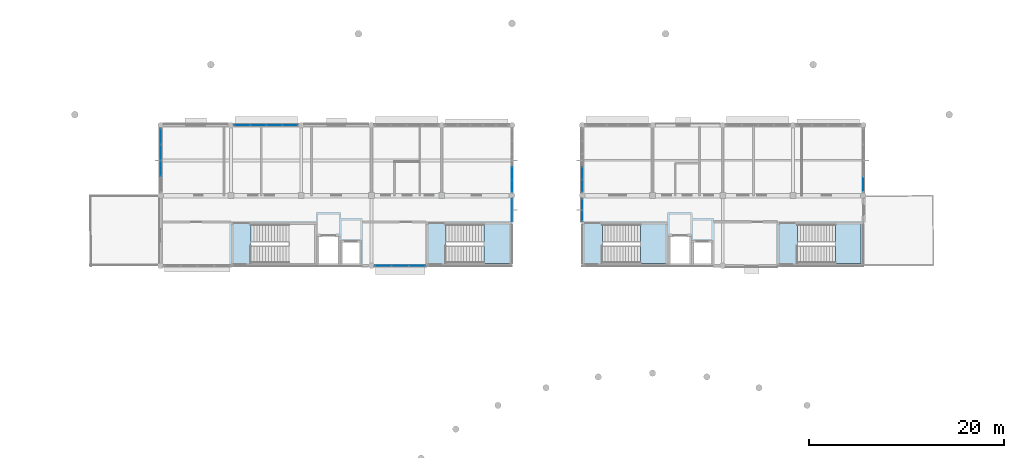
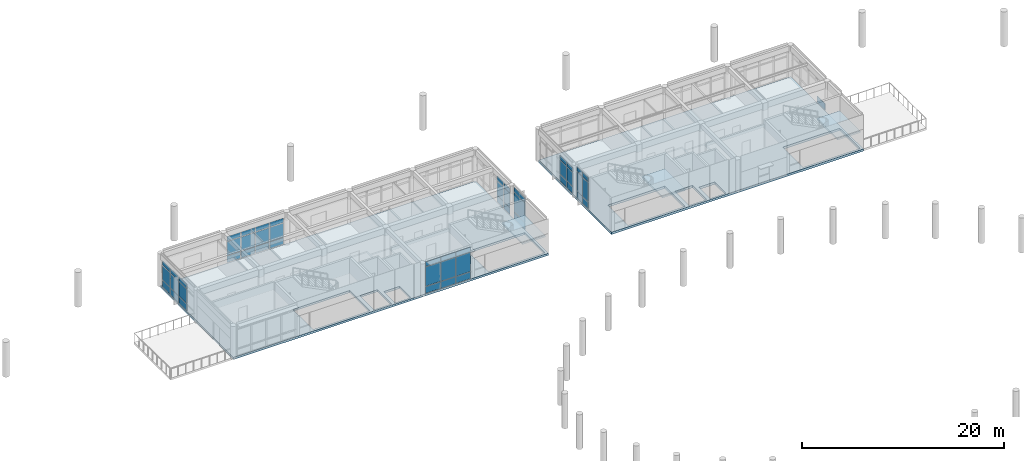
# One storey, part 15 of 41: 52 plates, 5 slabs, 11 elements without a shape of their own.
"""IFC4 building model written with IfcOpenShell, lengths in metres."""

from ifc_helpers import new_model, si_unit, direction, frame, origin, origin_2d, place, context, subcontext, project, spatial, polyline, rectangle, outline, extrude, material, layer, layer_set, type_object, element, aggregate, save


model = new_model("IFC4")

# Units and contexts
model_context = context("Model", 3, precision=1e-05, world=origin(), true_north=direction((0.0, 1.0)))
body_context = subcontext(model_context, "Body", "Model", "MODEL_VIEW")
ifc_project = project(units=[si_unit("LENGTHUNIT", "METRE"), si_unit("AREAUNIT", "SQUARE_METRE"), si_unit("VOLUMEUNIT", "CUBIC_METRE"), si_unit("PLANEANGLEUNIT", "RADIAN"), si_unit("MASSUNIT", "GRAM", prefix="KILO")], contexts=[model_context])

# Site, building, storey
site_placement = place(None, origin())
site = spatial("IfcSite", under=ifc_project, at=site_placement, CompositionType="ELEMENT")
building_placement = place(site_placement, origin())
building = spatial("IfcBuilding", under=site, at=building_placement, Name="Namkhue Oval Health Centre", CompositionType="ELEMENT")
storey_placement = place(building_placement, frame((0.0, 0.0, 13.800048828125)))
storey = spatial("IfcBuildingStorey", under=building, at=storey_placement, Name="L03", CompositionType="ELEMENT", Elevation=13.800048828125)

# Curtain wall, plates
ifc_material_1 = material(Name="Anodised aluminium EN AW-6063 T6", Category="aluminium")
ifc_layer_1 = layer(ifc_material_1, 0.159912109375)
ifc_layer_set_1 = layer_set([ifc_layer_1], Name="Anodised aluminium EN AW-6063 T6")
curtain_wall_type_1 = type_object("IfcCurtainWallType", Name="UNITISED CURTAIN WALL M1200", PredefinedType="NOTDEFINED", material=ifc_layer_set_1)
curtain_wall_1_placement = place(storey_placement, origin())
curtain_wall_1 = element("IfcCurtainWall", 1, at=curtain_wall_1_placement, inside=storey, type_object=curtain_wall_type_1, Name="Volume V2 L03 Unitised Curtain Wall 73", PredefinedType="NOTDEFINED")
ifc_material_2 = material(Name="Thermally broken low-E laminated double glazing", Category="glass")
ifc_layer_2 = layer(ifc_material_2, 0.02587890625)
ifc_layer_set_2 = layer_set([ifc_layer_2], Name="Thermally broken low-E laminated double glazing")
plate_type_1 = type_object("IfcPlateType", Name="CURTAIN WALL GLAZED PANEL 26", PredefinedType="CURTAIN_PANEL", material=ifc_layer_set_2)
plate_1_placement = place(storey_placement, frame((86.39990234375, 98.184326171875, 0.06494140625), z_axis=(0.0, 0.0, 1.0), x_axis=(0.0, 1.0, 0.0)))
plate_1 = element("IfcPlate", 2, at=plate_1_placement, type_object=plate_type_1, Name="CW-01 panel 1.1", PredefinedType="CURTAIN_PANEL", context=body_context, shape_type="SweptSolid", body=[
    extrude(rectangle(XDim=1.218505859375, YDim=0.02587890625, at=origin_2d()), origin(), (0.0, 0.0, 1.0), 0.802490234375),
])
plate_2_placement = place(storey_placement, frame((86.39990234375, 98.184326171875, 0.9326171875), z_axis=(0.0, 0.0, 1.0), x_axis=(0.0, 1.0, 0.0)))
plate_2 = element("IfcPlate", 3, at=plate_2_placement, type_object=plate_type_1, Name="CW-01 panel 1.2", PredefinedType="CURTAIN_PANEL", context=body_context, shape_type="SweptSolid", body=[
    extrude(rectangle(XDim=1.218505859375, YDim=0.02587890625, at=origin_2d()), origin(), (0.0, 0.0, 1.0), 1.679931640625),
])
plate_3_placement = place(storey_placement, frame((86.39990234375, 98.184326171875, 2.67724609375), z_axis=(0.0, 0.0, 1.0), x_axis=(0.0, 1.0, 0.0)))
plate_3 = element("IfcPlate", 4, at=plate_3_placement, type_object=plate_type_1, Name="CW-01 panel 1.3", PredefinedType="CURTAIN_PANEL", context=body_context, shape_type="SweptSolid", body=[
    extrude(rectangle(XDim=1.218505859375, YDim=0.02587890625, at=origin_2d()), origin(), (0.0, 0.0, 1.0), 0.552490234375),
])
plate_4_placement = place(storey_placement, frame((86.39990234375, 99.48388671875, 0.06494140625), z_axis=(0.0, 0.0, 1.0), x_axis=(0.0, 1.0, 0.0)))
plate_4 = element("IfcPlate", 5, at=plate_4_placement, type_object=plate_type_1, Name="CW-01 panel 2.1", PredefinedType="CURTAIN_PANEL", context=body_context, shape_type="SweptSolid", body=[
    extrude(rectangle(XDim=1.2509765625, YDim=0.02587890625, at=origin_2d()), origin(), (0.0, 0.0, 1.0), 0.802490234375),
])
plate_5_placement = place(storey_placement, frame((86.39990234375, 99.48388671875, 0.9326171875), z_axis=(0.0, 0.0, 1.0), x_axis=(0.0, 1.0, 0.0)))
plate_5 = element("IfcPlate", 6, at=plate_5_placement, type_object=plate_type_1, Name="CW-01 panel 2.2", PredefinedType="CURTAIN_PANEL", context=body_context, shape_type="SweptSolid", body=[
    extrude(rectangle(XDim=1.2509765625, YDim=0.02587890625, at=origin_2d()), origin(), (0.0, 0.0, 1.0), 1.679931640625),
])
plate_6_placement = place(storey_placement, frame((86.39990234375, 99.48388671875, 2.67724609375), z_axis=(0.0, 0.0, 1.0), x_axis=(0.0, 1.0, 0.0)))
plate_6 = element("IfcPlate", 7, at=plate_6_placement, type_object=plate_type_1, Name="CW-01 panel 2.3", PredefinedType="CURTAIN_PANEL", context=body_context, shape_type="SweptSolid", body=[
    extrude(rectangle(XDim=1.2509765625, YDim=0.02587890625, at=origin_2d()), origin(), (0.0, 0.0, 1.0), 0.552490234375),
])
aggregate(curtain_wall_1, [plate_1, plate_2, plate_3, plate_4, plate_5, plate_6])

ifc_layer_3 = layer(ifc_material_1, 0.159912109375)
ifc_layer_set_3 = layer_set([ifc_layer_3], Name="Anodised aluminium EN AW-6063 T6")
curtain_wall_type_2 = type_object("IfcCurtainWallType", Name="UNITISED CURTAIN WALL M1800", PredefinedType="NOTDEFINED", material=ifc_layer_set_3)
curtain_wall_2_placement = place(storey_placement, origin())
curtain_wall_2 = element("IfcCurtainWall", 8, at=curtain_wall_2_placement, inside=storey, type_object=curtain_wall_type_2, Name="Volume V2 L03 Unitised Curtain Wall 77", PredefinedType="NOTDEFINED")
plate_7_placement = place(storey_placement, frame((50.39990234375, 103.251220703125, 0.06494140625), z_axis=(0.0, 0.0, 1.0), x_axis=(0.0, -1.0, 0.0)))
plate_7 = element("IfcPlate", 9, at=plate_7_placement, type_object=plate_type_1, Name="CW-05 panel 1.1", PredefinedType="CURTAIN_PANEL", context=body_context, shape_type="SweptSolid", body=[
    extrude(rectangle(XDim=1.547607421875, YDim=0.02587890625, at=origin_2d()), origin(), (0.0, 0.0, 1.0), 0.802490234375),
])
plate_8_placement = place(storey_placement, frame((50.39990234375, 103.251220703125, 0.932373046875), z_axis=(0.0, 0.0, 1.0), x_axis=(0.0, -1.0, 0.0)))
plate_8 = element("IfcPlate", 10, at=plate_8_placement, type_object=plate_type_1, Name="CW-05 panel 1.2", PredefinedType="CURTAIN_PANEL", context=body_context, shape_type="SweptSolid", body=[
    extrude(rectangle(XDim=1.547607421875, YDim=0.02587890625, at=origin_2d()), origin(), (0.0, 0.0, 1.0), 1.70703125),
])
plate_9_placement = place(storey_placement, frame((50.39990234375, 103.251220703125, 2.70458984375), z_axis=(0.0, 0.0, 1.0), x_axis=(0.0, -1.0, 0.0)))
plate_9 = element("IfcPlate", 11, at=plate_9_placement, type_object=plate_type_1, Name="CW-05 panel 1.3", PredefinedType="CURTAIN_PANEL", context=body_context, shape_type="SweptSolid", body=[
    extrude(rectangle(XDim=1.547607421875, YDim=0.02587890625, at=origin_2d()), origin(), (0.0, 0.0, 1.0), 0.552490234375),
])
plate_10_placement = place(storey_placement, frame((50.39990234375, 101.62255859375, 0.06494140625), z_axis=(0.0, 0.0, 1.0), x_axis=(0.0, -1.0, 0.0)))
plate_10 = element("IfcPlate", 12, at=plate_10_placement, type_object=plate_type_1, Name="CW-05 panel 2.1", PredefinedType="CURTAIN_PANEL", context=body_context, shape_type="SweptSolid", body=[
    extrude(rectangle(XDim=1.580078125, YDim=0.02587890625, at=origin_2d()), origin(), (0.0, 0.0, 1.0), 0.802490234375),
])
plate_11_placement = place(storey_placement, frame((50.39990234375, 101.62255859375, 0.932373046875), z_axis=(0.0, 0.0, 1.0), x_axis=(0.0, -1.0, 0.0)))
plate_11 = element("IfcPlate", 13, at=plate_11_placement, type_object=plate_type_1, Name="CW-05 panel 2.2", PredefinedType="CURTAIN_PANEL", context=body_context, shape_type="SweptSolid", body=[
    extrude(rectangle(XDim=1.580078125, YDim=0.02587890625, at=origin_2d()), origin(), (0.0, 0.0, 1.0), 1.70703125),
])
plate_12_placement = place(storey_placement, frame((50.39990234375, 101.62255859375, 2.70458984375), z_axis=(0.0, 0.0, 1.0), x_axis=(0.0, -1.0, 0.0)))
plate_12 = element("IfcPlate", 14, at=plate_12_placement, type_object=plate_type_1, Name="CW-05 panel 2.3", PredefinedType="CURTAIN_PANEL", context=body_context, shape_type="SweptSolid", body=[
    extrude(rectangle(XDim=1.580078125, YDim=0.02587890625, at=origin_2d()), origin(), (0.0, 0.0, 1.0), 0.552490234375),
])
plate_13_placement = place(storey_placement, frame((50.39990234375, 99.9775390625, 0.06494140625), z_axis=(0.0, 0.0, 1.0), x_axis=(0.0, -1.0, 0.0)))
plate_13 = element("IfcPlate", 15, at=plate_13_placement, type_object=plate_type_1, Name="CW-05 panel 3.1", PredefinedType="CURTAIN_PANEL", context=body_context, shape_type="SweptSolid", body=[
    extrude(rectangle(XDim=1.580078125, YDim=0.02587890625, at=origin_2d()), origin(), (0.0, 0.0, 1.0), 0.802490234375),
])
plate_14_placement = place(storey_placement, frame((50.39990234375, 99.9775390625, 0.932373046875), z_axis=(0.0, 0.0, 1.0), x_axis=(0.0, -1.0, 0.0)))
plate_14 = element("IfcPlate", 16, at=plate_14_placement, type_object=plate_type_1, Name="CW-05 panel 3.2", PredefinedType="CURTAIN_PANEL", context=body_context, shape_type="SweptSolid", body=[
    extrude(rectangle(XDim=1.580078125, YDim=0.02587890625, at=origin_2d()), origin(), (0.0, 0.0, 1.0), 1.70703125),
])
plate_15_placement = place(storey_placement, frame((50.39990234375, 99.9775390625, 2.70458984375), z_axis=(0.0, 0.0, 1.0), x_axis=(0.0, -1.0, 0.0)))
plate_15 = element("IfcPlate", 17, at=plate_15_placement, type_object=plate_type_1, Name="CW-05 panel 3.3", PredefinedType="CURTAIN_PANEL", context=body_context, shape_type="SweptSolid", body=[
    extrude(rectangle(XDim=1.580078125, YDim=0.02587890625, at=origin_2d()), origin(), (0.0, 0.0, 1.0), 0.552490234375),
])
aggregate(curtain_wall_2, [plate_7, plate_8, plate_9, plate_10, plate_11, plate_12, plate_13, plate_14, plate_15])

# Curtain wall, plate
ifc_layer_4 = layer(ifc_material_1, 0.159912109375)
ifc_layer_set_4 = layer_set([ifc_layer_4], Name="Anodised aluminium EN AW-6063 T6")
curtain_wall_type_3 = type_object("IfcCurtainWallType", Name="UNITISED CURTAIN WALL M1500", PredefinedType="NOTDEFINED", material=ifc_layer_set_4)
curtain_wall_3_placement = place(storey_placement, origin())
curtain_wall_3 = element("IfcCurtainWall", 18, at=curtain_wall_3_placement, inside=storey, type_object=curtain_wall_type_3, Name="Volume V3 L03 Unitised Curtain Wall 117", PredefinedType="NOTDEFINED")
plate_16_placement = place(storey_placement, frame((122.39990234375, 98.3486328125, 0.06494140625), z_axis=(0.0, 0.0, 1.0), x_axis=(0.0, 1.0, 0.0)))
plate_16 = element("IfcPlate", 19, at=plate_16_placement, type_object=plate_type_1, Name="CW-03 panel 1.1", PredefinedType="CURTAIN_PANEL", context=body_context, shape_type="SweptSolid", body=[
    extrude(rectangle(XDim=1.547607421875, YDim=0.02587890625, at=origin_2d()), origin(), (0.0, 0.0, 1.0), 0.802490234375),
])
aggregate(curtain_wall_3, [plate_16])

# Curtain wall, plates
curtain_wall_4_placement = place(storey_placement, origin())
curtain_wall_4 = element("IfcCurtainWall", 20, at=curtain_wall_4_placement, inside=storey, type_object=curtain_wall_type_1, Name="Volume V3 L03 Unitised Curtain Wall 121", PredefinedType="NOTDEFINED")
plate_17_placement = place(storey_placement, frame((93.60009765625, 99.48388671875, 0.06494140625), z_axis=(0.0, 0.0, 1.0), x_axis=(0.0, -1.0, 0.0)))
plate_17 = element("IfcPlate", 21, at=plate_17_placement, type_object=plate_type_1, Name="CW-01 panel 4.1", PredefinedType="CURTAIN_PANEL", context=body_context, shape_type="SweptSolid", body=[
    extrude(rectangle(XDim=1.2509765625, YDim=0.02587890625, at=origin_2d()), origin(), (0.0, 0.0, 1.0), 0.802490234375),
])
plate_18_placement = place(storey_placement, frame((93.60009765625, 99.48388671875, 0.9326171875), z_axis=(0.0, 0.0, 1.0), x_axis=(0.0, -1.0, 0.0)))
plate_18 = element("IfcPlate", 22, at=plate_18_placement, type_object=plate_type_1, Name="CW-01 panel 4.2", PredefinedType="CURTAIN_PANEL", context=body_context, shape_type="SweptSolid", body=[
    extrude(rectangle(XDim=1.2509765625, YDim=0.02587890625, at=origin_2d()), origin(), (0.0, 0.0, 1.0), 1.655029296875),
])
plate_19_placement = place(storey_placement, frame((93.60009765625, 99.48388671875, 2.65234375), z_axis=(0.0, 0.0, 1.0), x_axis=(0.0, -1.0, 0.0)))
plate_19 = element("IfcPlate", 23, at=plate_19_placement, type_object=plate_type_1, Name="CW-01 panel 4.3", PredefinedType="CURTAIN_PANEL", context=body_context, shape_type="SweptSolid", body=[
    extrude(rectangle(XDim=1.2509765625, YDim=0.02587890625, at=origin_2d()), origin(), (0.0, 0.0, 1.0), 0.552490234375),
])
plate_20_placement = place(storey_placement, frame((93.60009765625, 98.184326171875, 0.06494140625), z_axis=(0.0, 0.0, 1.0), x_axis=(0.0, -1.0, 0.0)))
plate_20 = element("IfcPlate", 24, at=plate_20_placement, type_object=plate_type_1, Name="CW-01 panel 5.1", PredefinedType="CURTAIN_PANEL", context=body_context, shape_type="SweptSolid", body=[
    extrude(rectangle(XDim=1.218505859375, YDim=0.02587890625, at=origin_2d()), origin(), (0.0, 0.0, 1.0), 0.802490234375),
])
plate_21_placement = place(storey_placement, frame((93.60009765625, 98.184326171875, 0.9326171875), z_axis=(0.0, 0.0, 1.0), x_axis=(0.0, -1.0, 0.0)))
plate_21 = element("IfcPlate", 25, at=plate_21_placement, type_object=plate_type_1, Name="CW-01 panel 5.2", PredefinedType="CURTAIN_PANEL", context=body_context, shape_type="SweptSolid", body=[
    extrude(rectangle(XDim=1.218505859375, YDim=0.02587890625, at=origin_2d()), origin(), (0.0, 0.0, 1.0), 1.655029296875),
])
plate_22_placement = place(storey_placement, frame((93.60009765625, 98.184326171875, 2.65234375), z_axis=(0.0, 0.0, 1.0), x_axis=(0.0, -1.0, 0.0)))
plate_22 = element("IfcPlate", 26, at=plate_22_placement, type_object=plate_type_1, Name="CW-01 panel 5.3", PredefinedType="CURTAIN_PANEL", context=body_context, shape_type="SweptSolid", body=[
    extrude(rectangle(XDim=1.218505859375, YDim=0.02587890625, at=origin_2d()), origin(), (0.0, 0.0, 1.0), 0.552490234375),
])
aggregate(curtain_wall_4, [plate_17, plate_18, plate_19, plate_20, plate_21, plate_22])

ifc_layer_5 = layer(ifc_material_1, 0.159912109375)
ifc_layer_set_5 = layer_set([ifc_layer_5], Name="Anodised aluminium EN AW-6063 T6")
curtain_wall_type_4 = type_object("IfcCurtainWallType", Name="UNITISED CURTAIN WALL M1350", PredefinedType="NOTDEFINED", material=ifc_layer_set_5)
curtain_wall_5_placement = place(storey_placement, origin())
curtain_wall_5 = element("IfcCurtainWall", 27, at=curtain_wall_5_placement, inside=storey, type_object=curtain_wall_type_4, Name="Volume V3 L03 Unitised Curtain Wall 122", PredefinedType="NOTDEFINED")
ifc_layer_6 = layer(ifc_material_2, 0.028076171875)
ifc_layer_set_6 = layer_set([ifc_layer_6], Name="Thermally broken low-E laminated double glazing")
plate_type_2 = type_object("IfcPlateType", Name="CURTAIN WALL GLAZED PANEL 28", PredefinedType="CURTAIN_PANEL", material=ifc_layer_set_6)
plate_23_placement = place(storey_placement, frame((93.60009765625, 96.278076171875, 0.074951171875), z_axis=(0.0, 0.0, 1.0), x_axis=(0.0, -1.0, 0.0)))
plate_23 = element("IfcPlate", 28, at=plate_23_placement, type_object=plate_type_2, Name="CW-02 panel 1.1", PredefinedType="CURTAIN_PANEL", context=body_context, shape_type="SweptSolid", body=[
    extrude(rectangle(XDim=1.073974609375, YDim=0.028076171875, at=origin_2d()), origin(), (0.0, 0.0, 1.0), 0.78759765625),
])
plate_24_placement = place(storey_placement, frame((93.60009765625, 96.278076171875, 0.9375), z_axis=(0.0, 0.0, 1.0), x_axis=(0.0, -1.0, 0.0)))
plate_24 = element("IfcPlate", 29, at=plate_24_placement, type_object=plate_type_2, Name="CW-02 panel 1.2", PredefinedType="CURTAIN_PANEL", context=body_context, shape_type="SweptSolid", body=[
    extrude(rectangle(XDim=1.073974609375, YDim=0.028076171875, at=origin_2d()), origin(), (0.0, 0.0, 1.0), 2.294921875),
])
plate_25_placement = place(storey_placement, frame((93.60009765625, 96.278076171875, 3.307373046875), z_axis=(0.0, 0.0, 1.0), x_axis=(0.0, -1.0, 0.0)))
plate_25 = element("IfcPlate", 30, at=plate_25_placement, type_object=plate_type_2, Name="CW-02 panel 1.3", PredefinedType="CURTAIN_PANEL", context=body_context, shape_type="SweptSolid", body=[
    extrude(rectangle(XDim=1.073974609375, YDim=0.028076171875, at=origin_2d()), origin(), (0.0, 0.0, 1.0), 0.53759765625),
])
plate_26_placement = place(storey_placement, frame((93.60009765625, 95.12890625, 0.074951171875), z_axis=(0.0, 0.0, 1.0), x_axis=(0.0, -1.0, 0.0)))
plate_26 = element("IfcPlate", 31, at=plate_26_placement, type_object=plate_type_2, Name="CW-02 panel 2.1", PredefinedType="CURTAIN_PANEL", context=body_context, shape_type="SweptSolid", body=[
    extrude(rectangle(XDim=1.073974609375, YDim=0.028076171875, at=origin_2d()), origin(), (0.0, 0.0, 1.0), 0.78759765625),
])
plate_27_placement = place(storey_placement, frame((93.60009765625, 95.12890625, 0.9375), z_axis=(0.0, 0.0, 1.0), x_axis=(0.0, -1.0, 0.0)))
plate_27 = element("IfcPlate", 32, at=plate_27_placement, type_object=plate_type_2, Name="CW-02 panel 2.2", PredefinedType="CURTAIN_PANEL", context=body_context, shape_type="SweptSolid", body=[
    extrude(rectangle(XDim=1.073974609375, YDim=0.028076171875, at=origin_2d()), origin(), (0.0, 0.0, 1.0), 2.294921875),
])
plate_28_placement = place(storey_placement, frame((93.60009765625, 95.12890625, 3.307373046875), z_axis=(0.0, 0.0, 1.0), x_axis=(0.0, -1.0, 0.0)))
plate_28 = element("IfcPlate", 33, at=plate_28_placement, type_object=plate_type_2, Name="CW-02 panel 2.3", PredefinedType="CURTAIN_PANEL", context=body_context, shape_type="SweptSolid", body=[
    extrude(rectangle(XDim=1.073974609375, YDim=0.028076171875, at=origin_2d()), origin(), (0.0, 0.0, 1.0), 0.53759765625),
])
aggregate(curtain_wall_5, [plate_23, plate_24, plate_25, plate_26, plate_27, plate_28])

curtain_wall_6_placement = place(storey_placement, origin())
curtain_wall_6 = element("IfcCurtainWall", 34, at=curtain_wall_6_placement, inside=storey, type_object=curtain_wall_type_2, Name="Volume V2 L03 Unitised Curtain Wall 71", PredefinedType="NOTDEFINED")
ifc_material_3 = material(Name="Insulated anodised aluminium spandrel panel", Category="aluminium")
ifc_layer_7 = layer(ifc_material_3, 0.031982421875)
ifc_layer_set_7 = layer_set([ifc_layer_7], Name="Insulated anodised aluminium spandrel panel")
plate_type_3 = type_object("IfcPlateType", Name="CURTAIN WALL SPANDREL PANEL 32", PredefinedType="CURTAIN_PANEL", material=ifc_layer_set_7)
plate_29_placement = place(storey_placement, frame((73.205078125, 90.0, 0.06494140625), z_axis=(0.0, 0.0, 1.0), x_axis=(1.0, 0.0, 0.0)))
plate_29 = element("IfcPlate", 35, at=plate_29_placement, type_object=plate_type_3, Name="CW-05 panel 1.1", PredefinedType="CURTAIN_PANEL", context=body_context, shape_type="SweptSolid", body=[
    extrude(rectangle(XDim=1.66015625, YDim=0.031982421875, at=origin_2d()), origin(), (0.0, 0.0, 1.0), 0.802490234375),
])
plate_30_placement = place(storey_placement, frame((73.205078125, 90.0, 0.932373046875), z_axis=(0.0, 0.0, 1.0), x_axis=(1.0, 0.0, 0.0)))
plate_30 = element("IfcPlate", 36, at=plate_30_placement, type_object=plate_type_3, Name="CW-05 panel 1.2", PredefinedType="CURTAIN_PANEL", context=body_context, shape_type="SweptSolid", body=[
    extrude(rectangle(XDim=1.66015625, YDim=0.031982421875, at=origin_2d()), origin(), (0.0, 0.0, 1.0), 2.330078125),
])
plate_31_placement = place(storey_placement, frame((73.205078125, 90.0, 3.32763671875), z_axis=(0.0, 0.0, 1.0), x_axis=(1.0, 0.0, 0.0)))
plate_31 = element("IfcPlate", 37, at=plate_31_placement, type_object=plate_type_3, Name="CW-05 panel 1.3", PredefinedType="CURTAIN_PANEL", context=body_context, shape_type="SweptSolid", body=[
    extrude(rectangle(XDim=1.66015625, YDim=0.031982421875, at=origin_2d()), origin(), (0.0, 0.0, 1.0), 0.552490234375),
])
plate_32_placement = place(storey_placement, frame((74.946533203125, 90.0, 0.06494140625), z_axis=(0.0, 0.0, 1.0), x_axis=(1.0, 0.0, 0.0)))
plate_32 = element("IfcPlate", 38, at=plate_32_placement, type_object=plate_type_3, Name="CW-05 panel 2.1", PredefinedType="CURTAIN_PANEL", context=body_context, shape_type="SweptSolid", body=[
    extrude(rectangle(XDim=1.692626953125, YDim=0.031982421875, at=origin_2d()), origin(), (0.0, 0.0, 1.0), 0.802490234375),
])
plate_33_placement = place(storey_placement, frame((74.946533203125, 90.0, 0.932373046875), z_axis=(0.0, 0.0, 1.0), x_axis=(1.0, 0.0, 0.0)))
plate_33 = element("IfcPlate", 39, at=plate_33_placement, type_object=plate_type_3, Name="CW-05 panel 2.2", PredefinedType="CURTAIN_PANEL", context=body_context, shape_type="SweptSolid", body=[
    extrude(rectangle(XDim=1.692626953125, YDim=0.031982421875, at=origin_2d()), origin(), (0.0, 0.0, 1.0), 2.330078125),
])
plate_34_placement = place(storey_placement, frame((74.946533203125, 90.0, 3.32763671875), z_axis=(0.0, 0.0, 1.0), x_axis=(1.0, 0.0, 0.0)))
plate_34 = element("IfcPlate", 40, at=plate_34_placement, type_object=plate_type_3, Name="CW-05 panel 2.3", PredefinedType="CURTAIN_PANEL", context=body_context, shape_type="SweptSolid", body=[
    extrude(rectangle(XDim=1.692626953125, YDim=0.031982421875, at=origin_2d()), origin(), (0.0, 0.0, 1.0), 0.552490234375),
])
plate_35_placement = place(storey_placement, frame((76.68798828125, 90.0, 0.06494140625), z_axis=(0.0, 0.0, 1.0), x_axis=(1.0, 0.0, 0.0)))
plate_35 = element("IfcPlate", 41, at=plate_35_placement, type_object=plate_type_3, Name="CW-05 panel 3.1", PredefinedType="CURTAIN_PANEL", context=body_context, shape_type="SweptSolid", body=[
    extrude(rectangle(XDim=1.66015625, YDim=0.031982421875, at=origin_2d()), origin(), (0.0, 0.0, 1.0), 0.802490234375),
])
plate_36_placement = place(storey_placement, frame((76.68798828125, 90.0, 0.932373046875), z_axis=(0.0, 0.0, 1.0), x_axis=(1.0, 0.0, 0.0)))
plate_36 = element("IfcPlate", 42, at=plate_36_placement, type_object=plate_type_3, Name="CW-05 panel 3.2", PredefinedType="CURTAIN_PANEL", context=body_context, shape_type="SweptSolid", body=[
    extrude(rectangle(XDim=1.66015625, YDim=0.031982421875, at=origin_2d()), origin(), (0.0, 0.0, 1.0), 2.330078125),
])
plate_37_placement = place(storey_placement, frame((76.68798828125, 90.0, 3.32763671875), z_axis=(0.0, 0.0, 1.0), x_axis=(1.0, 0.0, 0.0)))
plate_37 = element("IfcPlate", 43, at=plate_37_placement, type_object=plate_type_3, Name="CW-05 panel 3.3", PredefinedType="CURTAIN_PANEL", context=body_context, shape_type="SweptSolid", body=[
    extrude(rectangle(XDim=1.66015625, YDim=0.031982421875, at=origin_2d()), origin(), (0.0, 0.0, 1.0), 0.552490234375),
])
aggregate(curtain_wall_6, [plate_29, plate_30, plate_31, plate_32, plate_33, plate_34, plate_35, plate_36, plate_37])

ifc_layer_8 = layer(ifc_material_1, 0.159912109375)
ifc_layer_set_8 = layer_set([ifc_layer_8], Name="Anodised aluminium EN AW-6063 T6")
curtain_wall_type_5 = type_object("IfcCurtainWallType", Name="UNITISED CURTAIN WALL M2000", PredefinedType="NOTDEFINED", material=ifc_layer_set_8)
curtain_wall_7_placement = place(storey_placement, origin())
curtain_wall_7 = element("IfcCurtainWall", 44, at=curtain_wall_7_placement, inside=storey, type_object=curtain_wall_type_5, Name="Volume V2 L03 Unitised Curtain Wall 72", PredefinedType="NOTDEFINED")
ifc_layer_9 = layer(ifc_material_3, 0.035888671875)
ifc_layer_set_9 = layer_set([ifc_layer_9], Name="Insulated anodised aluminium spandrel panel")
plate_type_4 = type_object("IfcPlateType", Name="CURTAIN WALL SPANDREL PANEL 36", PredefinedType="CURTAIN_PANEL", material=ifc_layer_set_9)
plate_38_placement = place(storey_placement, frame((86.39990234375, 95.70361328125, 0.074951171875), z_axis=(0.0, 0.0, 1.0), x_axis=(0.0, 1.0, 0.0)))
plate_38 = element("IfcPlate", 45, at=plate_38_placement, type_object=plate_type_4, Name="CW-06 panel 1.1", PredefinedType="CURTAIN_PANEL", context=body_context, shape_type="SweptSolid", body=[
    extrude(rectangle(XDim=2.222900390625, YDim=0.035888671875, at=origin_2d()), origin(), (0.0, 0.0, 1.0), 0.78759765625),
])
plate_39_placement = place(storey_placement, frame((86.39990234375, 95.70361328125, 0.9375), z_axis=(0.0, 0.0, 1.0), x_axis=(0.0, 1.0, 0.0)))
plate_39 = element("IfcPlate", 46, at=plate_39_placement, type_object=plate_type_4, Name="CW-06 panel 1.2", PredefinedType="CURTAIN_PANEL", context=body_context, shape_type="SweptSolid", body=[
    extrude(rectangle(XDim=2.222900390625, YDim=0.035888671875, at=origin_2d()), origin(), (0.0, 0.0, 1.0), 2.320068359375),
])
plate_40_placement = place(storey_placement, frame((86.39990234375, 95.70361328125, 3.33251953125), z_axis=(0.0, 0.0, 1.0), x_axis=(0.0, 1.0, 0.0)))
plate_40 = element("IfcPlate", 47, at=plate_40_placement, type_object=plate_type_4, Name="CW-06 panel 1.3", PredefinedType="CURTAIN_PANEL", context=body_context, shape_type="SweptSolid", body=[
    extrude(rectangle(XDim=2.222900390625, YDim=0.035888671875, at=origin_2d()), origin(), (0.0, 0.0, 1.0), 0.53759765625),
])
aggregate(curtain_wall_7, [plate_38, plate_39, plate_40])

ifc_layer_10 = layer(ifc_material_1, 0.159912109375)
ifc_layer_set_10 = layer_set([ifc_layer_10], Name="Anodised aluminium EN AW-6063 T6")
curtain_wall_type_6 = type_object("IfcCurtainWallType", Name="UNITISED CURTAIN WALL M1600", PredefinedType="NOTDEFINED", material=ifc_layer_set_10)
curtain_wall_8_placement = place(storey_placement, origin())
curtain_wall_8 = element("IfcCurtainWall", 48, at=curtain_wall_8_placement, inside=storey, type_object=curtain_wall_type_6, Name="Volume V2 L03 Unitised Curtain Wall 76", PredefinedType="NOTDEFINED")
plate_41_placement = place(storey_placement, frame((63.648681640625, 104.39990234375, 0.074951171875), z_axis=(0.0, 0.0, 1.0), x_axis=(-1.0, 0.0, 0.0)))
plate_41 = element("IfcPlate", 49, at=plate_41_placement, type_object=plate_type_4, Name="CW-04 panel 1.1", PredefinedType="CURTAIN_PANEL", context=body_context, shape_type="SweptSolid", body=[
    extrude(rectangle(XDim=1.532470703125, YDim=0.035888671875, at=origin_2d()), origin(), (0.0, 0.0, 1.0), 0.78759765625),
])
plate_42_placement = place(storey_placement, frame((63.648681640625, 104.39990234375, 0.9375), z_axis=(0.0, 0.0, 1.0), x_axis=(-1.0, 0.0, 0.0)))
plate_42 = element("IfcPlate", 50, at=plate_42_placement, type_object=plate_type_4, Name="CW-04 panel 1.2", PredefinedType="CURTAIN_PANEL", context=body_context, shape_type="SweptSolid", body=[
    extrude(rectangle(XDim=1.532470703125, YDim=0.035888671875, at=origin_2d()), origin(), (0.0, 0.0, 1.0), 1.669921875),
])
plate_43_placement = place(storey_placement, frame((63.648681640625, 104.39990234375, 2.682373046875), z_axis=(0.0, 0.0, 1.0), x_axis=(-1.0, 0.0, 0.0)))
plate_43 = element("IfcPlate", 51, at=plate_43_placement, type_object=plate_type_4, Name="CW-04 panel 1.3", PredefinedType="CURTAIN_PANEL", context=body_context, shape_type="SweptSolid", body=[
    extrude(rectangle(XDim=1.532470703125, YDim=0.035888671875, at=origin_2d()), origin(), (0.0, 0.0, 1.0), 0.53759765625),
])
plate_44_placement = place(storey_placement, frame((62.0224609375, 104.39990234375, 0.074951171875), z_axis=(0.0, 0.0, 1.0), x_axis=(-1.0, 0.0, 0.0)))
plate_44 = element("IfcPlate", 52, at=plate_44_placement, type_object=plate_type_4, Name="CW-04 panel 2.1", PredefinedType="CURTAIN_PANEL", context=body_context, shape_type="SweptSolid", body=[
    extrude(rectangle(XDim=1.570068359375, YDim=0.035888671875, at=origin_2d()), origin(), (0.0, 0.0, 1.0), 0.78759765625),
])
plate_45_placement = place(storey_placement, frame((62.0224609375, 104.39990234375, 0.9375), z_axis=(0.0, 0.0, 1.0), x_axis=(-1.0, 0.0, 0.0)))
plate_45 = element("IfcPlate", 53, at=plate_45_placement, type_object=plate_type_4, Name="CW-04 panel 2.2", PredefinedType="CURTAIN_PANEL", context=body_context, shape_type="SweptSolid", body=[
    extrude(rectangle(XDim=1.570068359375, YDim=0.035888671875, at=origin_2d()), origin(), (0.0, 0.0, 1.0), 1.669921875),
])
plate_46_placement = place(storey_placement, frame((62.0224609375, 104.39990234375, 2.682373046875), z_axis=(0.0, 0.0, 1.0), x_axis=(-1.0, 0.0, 0.0)))
plate_46 = element("IfcPlate", 54, at=plate_46_placement, type_object=plate_type_4, Name="CW-04 panel 2.3", PredefinedType="CURTAIN_PANEL", context=body_context, shape_type="SweptSolid", body=[
    extrude(rectangle(XDim=1.570068359375, YDim=0.035888671875, at=origin_2d()), origin(), (0.0, 0.0, 1.0), 0.53759765625),
])
plate_47_placement = place(storey_placement, frame((60.37744140625, 104.39990234375, 0.074951171875), z_axis=(0.0, 0.0, 1.0), x_axis=(-1.0, 0.0, 0.0)))
plate_47 = element("IfcPlate", 55, at=plate_47_placement, type_object=plate_type_4, Name="CW-04 panel 3.1", PredefinedType="CURTAIN_PANEL", context=body_context, shape_type="SweptSolid", body=[
    extrude(rectangle(XDim=1.570068359375, YDim=0.035888671875, at=origin_2d()), origin(), (0.0, 0.0, 1.0), 0.78759765625),
])
plate_48_placement = place(storey_placement, frame((60.37744140625, 104.39990234375, 0.9375), z_axis=(0.0, 0.0, 1.0), x_axis=(-1.0, 0.0, 0.0)))
plate_48 = element("IfcPlate", 56, at=plate_48_placement, type_object=plate_type_4, Name="CW-04 panel 3.2", PredefinedType="CURTAIN_PANEL", context=body_context, shape_type="SweptSolid", body=[
    extrude(rectangle(XDim=1.570068359375, YDim=0.035888671875, at=origin_2d()), origin(), (0.0, 0.0, 1.0), 1.669921875),
])
plate_49_placement = place(storey_placement, frame((60.37744140625, 104.39990234375, 2.682373046875), z_axis=(0.0, 0.0, 1.0), x_axis=(-1.0, 0.0, 0.0)))
plate_49 = element("IfcPlate", 57, at=plate_49_placement, type_object=plate_type_4, Name="CW-04 panel 3.3", PredefinedType="CURTAIN_PANEL", context=body_context, shape_type="SweptSolid", body=[
    extrude(rectangle(XDim=1.570068359375, YDim=0.035888671875, at=origin_2d()), origin(), (0.0, 0.0, 1.0), 0.53759765625),
])
plate_50_placement = place(storey_placement, frame((58.751220703125, 104.39990234375, 0.074951171875), z_axis=(0.0, 0.0, 1.0), x_axis=(-1.0, 0.0, 0.0)))
plate_50 = element("IfcPlate", 58, at=plate_50_placement, type_object=plate_type_4, Name="CW-04 panel 4.1", PredefinedType="CURTAIN_PANEL", context=body_context, shape_type="SweptSolid", body=[
    extrude(rectangle(XDim=1.532470703125, YDim=0.035888671875, at=origin_2d()), origin(), (0.0, 0.0, 1.0), 0.78759765625),
])
plate_51_placement = place(storey_placement, frame((58.751220703125, 104.39990234375, 0.9375), z_axis=(0.0, 0.0, 1.0), x_axis=(-1.0, 0.0, 0.0)))
plate_51 = element("IfcPlate", 59, at=plate_51_placement, type_object=plate_type_4, Name="CW-04 panel 4.2", PredefinedType="CURTAIN_PANEL", context=body_context, shape_type="SweptSolid", body=[
    extrude(rectangle(XDim=1.532470703125, YDim=0.035888671875, at=origin_2d()), origin(), (0.0, 0.0, 1.0), 1.669921875),
])
plate_52_placement = place(storey_placement, frame((58.751220703125, 104.39990234375, 2.682373046875), z_axis=(0.0, 0.0, 1.0), x_axis=(-1.0, 0.0, 0.0)))
plate_52 = element("IfcPlate", 60, at=plate_52_placement, type_object=plate_type_4, Name="CW-04 panel 4.3", PredefinedType="CURTAIN_PANEL", context=body_context, shape_type="SweptSolid", body=[
    extrude(rectangle(XDim=1.532470703125, YDim=0.035888671875, at=origin_2d()), origin(), (0.0, 0.0, 1.0), 0.53759765625),
])
aggregate(curtain_wall_8, [plate_41, plate_42, plate_43, plate_44, plate_45, plate_46, plate_47, plate_48, plate_49, plate_50, plate_51, plate_52])

# Stair, slab
ifc_material_4 = material(Name="Reinforced concrete C30/37 (TCVN B35)", Category="concrete")
stair_type = type_object("IfcStairType", Name="DOGLEG EXIT STAIR H4200", PredefinedType="HALF_TURN_STAIR", material=ifc_material_4)
stair_1_placement = place(storey_placement, origin())
stair_1 = element("IfcStair", 61, at=stair_1_placement, inside=storey, type_object=stair_type, Name="Protected Exit Stair ST-04 L03", PredefinedType="HALF_TURN_STAIR")
ifc_layer_11 = layer(ifc_material_4, 0.195068359375)
ifc_layer_set_11 = layer_set([ifc_layer_11], Name="Reinforced concrete C30/37 (TCVN B35)")
slab_type_1 = type_object("IfcSlabType", Name="STAIR LANDING SLAB 195", PredefinedType="LANDING", material=ifc_layer_set_11)
slab_1_placement = place(storey_placement, frame((0.0, 0.0, 1.905029296875)))
slab_1 = element("IfcSlab", 62, at=slab_1_placement, type_object=slab_type_1, Name="ST-04 landing 1", PredefinedType="LANDING", context=body_context, shape_type="SweptSolid", body=[
    extrude(outline(polyline([(83.544921875, 90.22509765625), (86.175048828125, 90.22509765625), (86.175048828125, 94.27490234375), (83.544921875, 94.27490234375), (83.544921875, 90.22509765625)])), origin(), (0.0, 0.0, 1.0), 0.19482421875),
])
aggregate(stair_1, [slab_1])

stair_2_placement = place(storey_placement, origin())
stair_2 = element("IfcStair", 63, at=stair_2_placement, inside=storey, type_object=stair_type, Name="Protected Exit Stair ST-05 L03", PredefinedType="HALF_TURN_STAIR")
slab_2_placement = place(storey_placement, frame((0.0, 0.0, 1.905029296875)))
slab_2 = element("IfcSlab", 64, at=slab_2_placement, type_object=slab_type_1, Name="ST-05 landing 1", PredefinedType="LANDING", context=body_context, shape_type="SweptSolid", body=[
    extrude(outline(polyline([(99.544921875, 90.22509765625), (102.175048828125, 90.22509765625), (102.175048828125, 94.27490234375), (99.544921875, 94.27490234375), (99.544921875, 90.22509765625)])), origin(), (0.0, 0.0, 1.0), 0.19482421875),
])
aggregate(stair_2, [slab_2])

stair_3_placement = place(storey_placement, origin())
stair_3 = element("IfcStair", 65, at=stair_3_placement, inside=storey, type_object=stair_type, Name="Protected Exit Stair ST-06 L03", PredefinedType="HALF_TURN_STAIR")
slab_3_placement = place(storey_placement, frame((0.0, 0.0, 1.905029296875)))
slab_3 = element("IfcSlab", 66, at=slab_3_placement, type_object=slab_type_1, Name="ST-06 landing 1", PredefinedType="LANDING", context=body_context, shape_type="SweptSolid", body=[
    extrude(outline(polyline([(119.544921875, 90.22509765625), (122.175048828125, 90.22509765625), (122.175048828125, 94.27490234375), (119.544921875, 94.27490234375), (119.544921875, 90.22509765625)])), origin(), (0.0, 0.0, 1.0), 0.19482421875),
])
aggregate(stair_3, [slab_3])

# Slabs
ifc_layer_12 = layer(ifc_material_4, 0.25)
ifc_layer_set_12 = layer_set([ifc_layer_12], Name="Reinforced concrete C30/37 (TCVN B35)")
slab_type_2 = type_object("IfcSlabType", Name="SUSPENDED FLOOR SLAB 250", PredefinedType="FLOOR", material=ifc_layer_set_12)
slab_4_placement = place(storey_placement, frame((0.0, 0.0, -0.25)))
element("IfcSlab", 67, at=slab_4_placement, inside=storey, type_object=slab_type_2, Name="Volume V2 L03 Suspended Floor Slab", PredefinedType="FLOOR", context=body_context, shape_type="SweptSolid", body=[
    extrude(outline(polyline([(50.39990234375, 90.0), (86.39990234375, 90.0), (86.39990234375, 104.39990234375), (50.39990234375, 104.39990234375), (50.39990234375, 90.0)]), holes=[polyline([(59.655029296875, 90.25), (66.14990234375, 90.25), (66.14990234375, 94.25), (59.655029296875, 94.25), (59.655029296875, 90.25)]), polyline([(79.655029296875, 90.25), (86.14990234375, 90.25), (86.14990234375, 94.25), (79.655029296875, 94.25), (79.655029296875, 90.25)]), polyline([(66.60009765625, 90.199951171875), (68.60009765625, 90.199951171875), (68.60009765625, 93.0), (66.60009765625, 93.0), (66.60009765625, 90.199951171875)]), polyline([(69.0, 90.199951171875), (70.800048828125, 90.199951171875), (70.800048828125, 92.39990234375), (69.0, 92.39990234375), (69.0, 90.199951171875)])]), origin(), (0.0, 0.0, 1.0), 0.25),
])
ifc_layer_13 = layer(ifc_material_4, 0.27490234375)
ifc_layer_set_13 = layer_set([ifc_layer_13], Name="Reinforced concrete C30/37 (TCVN B35)")
slab_type_3 = type_object("IfcSlabType", Name="SUSPENDED FLOOR SLAB 275", PredefinedType="FLOOR", material=ifc_layer_set_13)
slab_5_placement = place(storey_placement, frame((0.0, 0.0, -0.275146484375)))
element("IfcSlab", 68, at=slab_5_placement, inside=storey, type_object=slab_type_3, Name="Volume V3 L03 Suspended Floor Slab", PredefinedType="FLOOR", context=body_context, shape_type="SweptSolid", body=[
    extrude(outline(polyline([(93.60009765625, 90.0), (122.39990234375, 90.0), (122.39990234375, 104.39990234375), (93.60009765625, 104.39990234375), (93.60009765625, 90.0)]), holes=[polyline([(95.655029296875, 90.25), (102.14990234375, 90.25), (102.14990234375, 94.25), (95.655029296875, 94.25), (95.655029296875, 90.25)]), polyline([(115.655029296875, 90.25), (122.14990234375, 90.25), (122.14990234375, 94.25), (115.655029296875, 94.25), (115.655029296875, 90.25)]), polyline([(102.60009765625, 90.199951171875), (104.60009765625, 90.199951171875), (104.60009765625, 93.0), (102.60009765625, 93.0), (102.60009765625, 90.199951171875)]), polyline([(105.0, 90.199951171875), (106.800048828125, 90.199951171875), (106.800048828125, 92.39990234375), (105.0, 92.39990234375), (105.0, 90.199951171875)])]), origin(), (0.0, 0.0, 1.0), 0.275146484375),
])

save(model, "model.ifc")
